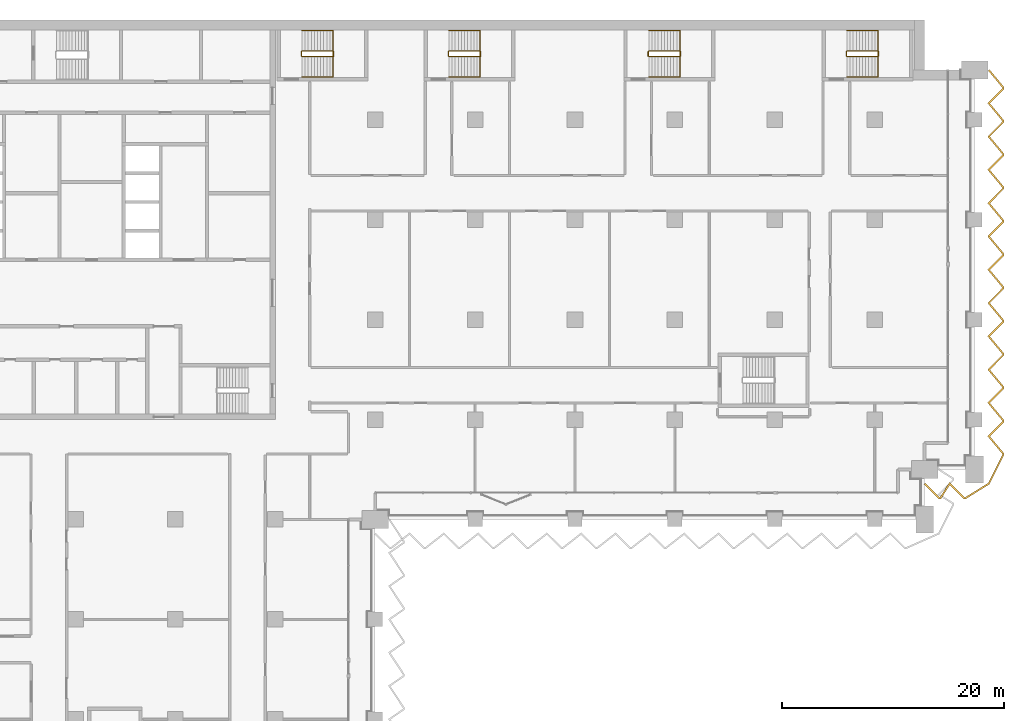
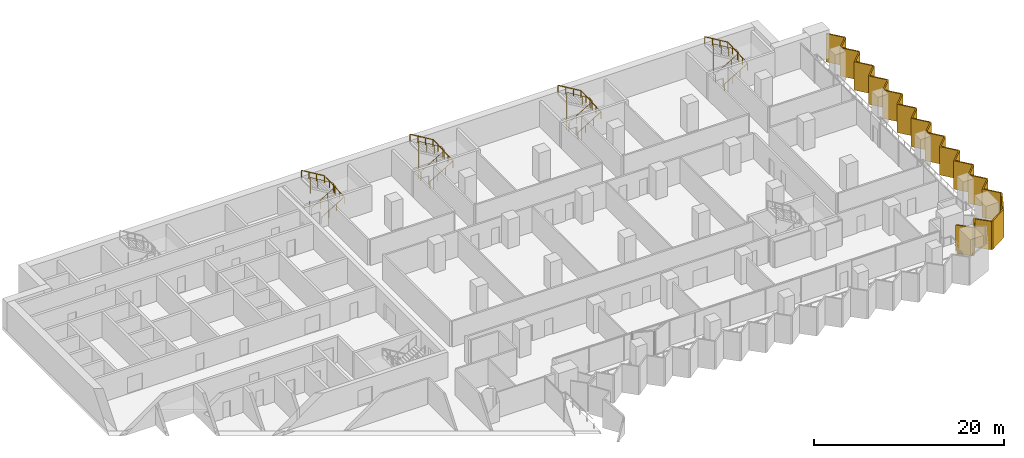
# One storey, part 27 of 28: 8 railings, 1 shading device.
"""IFC4 building model written with IfcOpenShell, lengths in metres."""

import ifcopenshell
import ifcopenshell.guid

model = None  # the IFC model being written
_history = None  # IfcOwnerHistory: only IFC2X3 demands one
_inside = {}  # id of a spatial element -> (the spatial element, [elements in it])
_under = {}  # id of a project, library or spatial element -> (it, [spatial elements below it])
_declared = {}  # id of a project -> (the project, [libraries it declares])
_typed = {}  # id of a type object -> (the type object, [elements of that type])
_made_of = {}  # id of a material, layer set ... -> (it, [elements and type objects made of it])


def new_model(schema):
    """Start an empty IFC model of exactly this schema.

    Asked for "IFC4X3", IfcOpenShell would pick the latest addendum, in which some entities
    have other attributes; the version numbers below select the first issue.
    IFC2X3 requires an IfcOwnerHistory on every rooted entity: one is made here for all.
    """
    global model, _history
    if schema == "IFC4X3":
        model = ifcopenshell.file(schema_version=(4, 3, 0, 0))
    else:
        model = ifcopenshell.file(schema=schema)
    _inside.clear()
    _under.clear()
    _declared.clear()
    _typed.clear()
    _made_of.clear()
    _history = None
    if model.schema == "IFC2X3":
        org = make("IfcOrganization", Name="unknown")
        user = make(
            "IfcPersonAndOrganization",
            ThePerson=make("IfcPerson", FamilyName="unknown"),
            TheOrganization=org,
        )
        app = make(
            "IfcApplication",
            ApplicationDeveloper=org,
            Version="unknown",
            ApplicationFullName="unknown",
            ApplicationIdentifier="unknown",
        )
        _history = make(
            "IfcOwnerHistory",
            OwningUser=user,
            OwningApplication=app,
            ChangeAction="ADDED",
            CreationDate=0,
        )
    return model


def make(cls, **values):
    """One entity of the class cls with the attributes given. An attribute that is None is left unset."""
    return model.create_entity(
        cls, **{name: value for name, value in values.items() if value is not None}
    )


def rooted(cls, **values):
    """An entity with a GlobalId (a new one), such as an element, a storey or a relation."""
    return make(cls, GlobalId=ifcopenshell.guid.new(), OwnerHistory=_history, **values)


def si_unit(unit_type, name, prefix=None):
    """IfcSIUnit, for example si_unit("LENGTHUNIT", "METRE", prefix="MILLI")."""
    return make("IfcSIUnit", UnitType=unit_type, Prefix=prefix, Name=name)


def assignment(units):
    """IfcUnitAssignment: the units of a project."""
    return None if units is None else make("IfcUnitAssignment", Units=units)


def point(xyz):
    """IfcCartesianPoint."""
    return None if xyz is None else make("IfcCartesianPoint", Coordinates=xyz)


def direction(xyz):
    """IfcDirection."""
    return None if xyz is None else make("IfcDirection", DirectionRatios=xyz)


def frame(location, z_axis=None, x_axis=None):
    """IfcAxis2Placement3D, a coordinate frame: its origin and axes. An axis left out is left unset."""
    return make(
        "IfcAxis2Placement3D",
        Location=point(location),
        Axis=direction(z_axis),
        RefDirection=direction(x_axis),
    )


def frame_2d(location, x_axis=None):
    """IfcAxis2Placement2D, a coordinate frame in the plane: its origin and x axis."""
    return make(
        "IfcAxis2Placement2D", Location=point(location), RefDirection=direction(x_axis)
    )


def origin():
    """The frame at (0, 0, 0) with its axes left unset."""
    return frame((0.0, 0.0, 0.0))


def origin_2d():
    """The frame at (0, 0) in the plane with its x axis left unset."""
    return frame_2d((0.0, 0.0))


def place(relative_to, where):
    """IfcLocalPlacement: puts the frame where relative to a parent placement (None: the world)."""
    return make(
        "IfcLocalPlacement", PlacementRelTo=relative_to, RelativePlacement=where
    )


def context(
    kind, dimensions, precision=None, world=None, true_north=None, identifier=None
):
    """IfcGeometricRepresentationContext, for example the 3D "Model" context."""
    return make(
        "IfcGeometricRepresentationContext",
        ContextIdentifier=identifier,
        ContextType=kind,
        CoordinateSpaceDimension=dimensions,
        Precision=precision,
        WorldCoordinateSystem=world,
        TrueNorth=true_north,
    )


def subcontext(parent, identifier, kind, view, scale=None):
    """IfcGeometricRepresentationSubContext, for example "Body" below "Model"."""
    return make(
        "IfcGeometricRepresentationSubContext",
        ContextIdentifier=identifier,
        ContextType=kind,
        ParentContext=parent,
        TargetScale=scale,
        TargetView=view,
    )


def project(units=None, contexts=None):
    """IfcProject with its units and contexts."""
    return rooted(
        "IfcProject",
        Name="project",
        RepresentationContexts=contexts,
        UnitsInContext=assignment(units),
    )


def spatial(cls, under=None, at=None, **own):
    """A site, building, storey or space (cls), placed at a placement, below another one or the project."""
    s = rooted(cls, ObjectPlacement=at, **own)
    if under is not None:
        _under.setdefault(under.id(), (under, []))[1].append(s)
    return s


def polyline(points):
    """IfcPolyline through the points."""
    return make("IfcPolyline", Points=[point(p) for p in points])


def profile(cls, at=None, kind="AREA", **sizes):
    """A parametric profile (cls). Its sizes go by their IFC names, for example OverallWidth=200.0."""
    return make(cls, ProfileType=kind, Position=at, **sizes)


def circle(**sizes):
    """IfcCircleProfileDef."""
    return profile("IfcCircleProfileDef", **sizes)


def outline(outer, holes=None, kind="AREA"):
    """IfcArbitraryClosedProfileDef: a profile drawn as a closed curve; with holes, ...WithVoids."""
    if holes is None:
        return make("IfcArbitraryClosedProfileDef", ProfileType=kind, OuterCurve=outer)
    return make(
        "IfcArbitraryProfileDefWithVoids",
        ProfileType=kind,
        OuterCurve=outer,
        InnerCurves=holes,
    )


def extrude(swept, where, along, depth):
    """IfcExtrudedAreaSolid: the profile swept, set in the frame where, extruded along a direction by depth."""
    return make(
        "IfcExtrudedAreaSolid",
        SweptArea=swept,
        Position=where,
        ExtrudedDirection=direction(along),
        Depth=depth,
    )


def shape(context_of_items, identifier, shape_type, items):
    """IfcShapeRepresentation: the items that make up one representation, for example the "Body"."""
    return make(
        "IfcShapeRepresentation",
        ContextOfItems=context_of_items,
        RepresentationIdentifier=identifier,
        RepresentationType=shape_type,
        Items=items,
    )


def material(Name=None, Category=None):
    """IfcMaterial."""
    return make("IfcMaterial", Name=Name, Category=Category)


def layer(
    of_material, thickness, ventilated=None, Name=None, Category=None, Priority=None
):
    """IfcMaterialLayer: one layer of a wall or slab, of a material (None: an air gap)."""
    return make(
        "IfcMaterialLayer",
        Material=of_material,
        LayerThickness=thickness,
        IsVentilated=ventilated,
        Name=Name,
        Category=Category,
        Priority=Priority,
    )


def layer_set(layers, Name=None):
    """IfcMaterialLayerSet."""
    return make("IfcMaterialLayerSet", MaterialLayers=layers, LayerSetName=Name)


def made_of(thing, what):
    """Note that an element or type object is made of a material, layer set ...; save() writes the relation."""
    if what is not None:
        _made_of.setdefault(what.id(), (what, []))[1].append(thing)
    return thing


def type_object(cls, material=None, **own):
    """A type object (cls), such as IfcWallType, which elements share."""
    return made_of(rooted(cls, **own), material)


def element(
    cls,
    number,
    at=None,
    inside=None,
    cuts=None,
    type_object=None,
    material=None,
    context=None,
    identifier="Body",
    shape_type=None,
    held_by="IfcProductDefinitionShape",
    body=None,
    shapes=None,
    **own,
):
    """One element of the class cls, such as IfcWall. Its Tag is "e" and its number.

    at: its placement. inside: the storey or other place that contains it. cuts: it is an
    opening in that element (IfcRelVoidsElement). A single representation is given by context,
    identifier, shape_type and body (its items); several are given by shapes. held_by: the class
    of the entity that holds the representations. save() writes the other relations.
    """
    e = rooted(cls, Tag="e%d" % number, ObjectPlacement=at, **own)
    if body is not None:
        shapes = [shape(context, identifier, shape_type, body)]
    if shapes is not None:
        e.Representation = make(held_by, Representations=shapes)
    if inside is not None:
        _inside.setdefault(inside.id(), (inside, []))[1].append(e)
    if cuts is not None:
        rooted(
            "IfcRelVoidsElement", RelatingBuildingElement=cuts, RelatedOpeningElement=e
        )
    if type_object is not None:
        _typed.setdefault(type_object.id(), (type_object, []))[1].append(e)
    return made_of(e, material)


def aggregate(whole, parts):
    """IfcRelAggregates: a whole, such as a stair, and the parts it consists of."""
    return rooted("IfcRelAggregates", RelatingObject=whole, RelatedObjects=parts)


def save(model, path):
    """Write the relations noted so far, then the file.

    IfcRelAggregates (storeys below a building ...), IfcRelContainedInSpatialStructure (elements
    in a storey), IfcRelDefinesByType, IfcRelAssociatesMaterial and IfcRelDeclares: one each for
    every whole, place, type object, material and project.
    """
    for whole, parts in _under.values():
        aggregate(whole, parts)
    for where, things in _inside.values():
        rooted(
            "IfcRelContainedInSpatialStructure",
            RelatedElements=things,
            RelatingStructure=where,
        )
    for kind, things in _typed.values():
        rooted("IfcRelDefinesByType", RelatedObjects=things, RelatingType=kind)
    for what, things in _made_of.values():
        rooted("IfcRelAssociatesMaterial", RelatedObjects=things, RelatingMaterial=what)
    for by, libraries in _declared.values():
        rooted("IfcRelDeclares", RelatingContext=by, RelatedDefinitions=libraries)
    model.write(path)


model = new_model("IFC4")

# Units and contexts
model_context = context("Model", 3, precision=1e-05, world=origin(), true_north=direction((0.0, 1.0)))
body_context = subcontext(model_context, "Body", "Model", "MODEL_VIEW")
ifc_project = project(units=[si_unit("LENGTHUNIT", "METRE"), si_unit("AREAUNIT", "SQUARE_METRE"), si_unit("VOLUMEUNIT", "CUBIC_METRE"), si_unit("PLANEANGLEUNIT", "RADIAN"), si_unit("MASSUNIT", "GRAM", prefix="KILO")], contexts=[model_context])

# Site, building, storey
site_placement = place(None, origin())
site = spatial("IfcSite", under=ifc_project, at=site_placement, CompositionType="ELEMENT")
building_placement = place(site_placement, origin())
building = spatial("IfcBuilding", under=site, at=building_placement, Name="Hunhe Ridgeline Campus", CompositionType="ELEMENT")
storey_placement = place(building_placement, frame((0.0, 0.0, 35.800048828125)))
storey = spatial("IfcBuildingStorey", under=building, at=storey_placement, Name="L07", CompositionType="ELEMENT", Elevation=35.800048828125)

# Shading device
ifc_material_1 = material(Name="Concrete C50", Category="concrete")
ifc_layer = layer(ifc_material_1, 0.14990234375)
ifc_layer_set = layer_set([ifc_layer], Name="Sawtooth concrete fin 150 Concrete C50")
shading_device_type = type_object("IfcShadingDeviceType", Name="Sawtooth concrete fin 150 Concrete C50", PredefinedType="USERDEFINED", material=ifc_layer_set)
shading_device_placement = place(storey_placement, frame((0.0, 0.0, -0.949951171875)))
element("IfcShadingDevice", 1, at=shading_device_placement, inside=storey, type_object=shading_device_type, Name="Concrete fin screen 3", ObjectType="FIN", PredefinedType="USERDEFINED", context=body_context, shape_type="SweptSolid", body=[
    extrude(outline(polyline([(94.552734375, 57.2783203125), (94.447265625, 57.171875), (95.779296875, 55.85009765625), (95.9716796875, 55.85009765625), (96.763671875, 57.10595703125), (98.029296875, 55.85009765625), (98.20166015625, 55.85009765625), (100.33251953125, 57.17236328125), (101.64990234375, 59.79248046875), (101.64990234375, 59.957275390625), (100.376220703125, 61.495361328125), (101.64990234375, 62.779296875), (101.64990234375, 62.957275390625), (100.376220703125, 64.495361328125), (101.64990234375, 65.779296875), (101.64990234375, 65.957275390625), (100.376220703125, 67.495361328125), (101.64990234375, 68.779296875), (101.64990234375, 68.957275390625), (100.376220703125, 70.495361328125), (101.64990234375, 71.779296875), (101.64990234375, 71.957275390625), (100.376220703125, 73.495361328125), (101.64990234375, 74.779296875), (101.64990234375, 74.957275390625), (100.376220703125, 76.495361328125), (101.64990234375, 77.779296875), (101.64990234375, 77.957275390625), (100.376220703125, 79.495361328125), (101.64990234375, 80.779296875), (101.64990234375, 80.957275390625), (100.376220703125, 82.495361328125), (101.64990234375, 83.779296875), (101.64990234375, 83.957275390625), (100.376220703125, 85.495361328125), (101.64990234375, 86.779296875), (101.64990234375, 86.957275390625), (100.376220703125, 88.495361328125), (101.64990234375, 89.779296875), (101.64990234375, 89.957275390625), (100.376220703125, 91.495361328125), (101.64990234375, 92.779296875), (101.64990234375, 92.957275390625), (100.332763671875, 94.5478515625), (100.21728515625, 94.4521484375), (101.5, 92.9033203125), (101.5, 92.841064453125), (100.173828125, 91.504638671875), (101.5, 89.9033203125), (101.5, 89.841064453125), (100.173828125, 88.504638671875), (101.5, 86.9033203125), (101.5, 86.841064453125), (100.173828125, 85.504638671875), (101.5, 83.9033203125), (101.5, 83.841064453125), (100.173828125, 82.504638671875), (101.5, 80.9033203125), (101.5, 80.841064453125), (100.173828125, 79.504638671875), (101.5, 77.9033203125), (101.5, 77.841064453125), (100.173828125, 76.504638671875), (101.5, 74.9033203125), (101.5, 74.841064453125), (100.173828125, 73.504638671875), (101.5, 71.9033203125), (101.5, 71.841064453125), (100.173828125, 70.504638671875), (101.5, 68.9033203125), (101.5, 68.841064453125), (100.173828125, 67.504638671875), (101.5, 65.9033203125), (101.5, 65.841064453125), (100.173828125, 64.504638671875), (101.5, 62.9033203125), (101.5, 62.841064453125), (100.173828125, 61.504638671875), (101.5, 59.9033203125), (101.5, 59.828125), (100.217529296875, 57.277587890625), (98.158935546875, 56.0), (98.091064453125, 56.0), (96.736328125, 57.343994140625), (95.888916015625, 56.0), (95.841064453125, 56.0), (94.552734375, 57.2783203125)])), origin(), (0.0, 0.0, 1.0), 3.64990234375),
])

# Railings
ifc_material_2 = material(Name="Stainless steel balustrade", Category="steel")
railing_type_1 = type_object("IfcRailingType", Name="Stair guard 1100 stainless", PredefinedType="GUARDRAIL", material=ifc_material_2)
railing_1_placement = place(storey_placement, frame((38.39990234375, 95.699951171875, 0.168212890625)))
element("IfcRailing", 2, at=railing_1_placement, inside=storey, type_object=railing_type_1, Name="L07 stair E1 guard", PredefinedType="GUARDRAIL", context=body_context, shape_type="SweptSolid", body=[
    extrude(circle(Radius=0.02392578125, at=origin_2d()), frame((0.0, 0.0, 1.076171875), z_axis=(0.857275202839, 0.0, 0.514858452973), x_axis=(0.0, 1.0, 0.0)), (0.0, 0.0, 1.0), 3.26611328125),
    extrude(circle(Radius=0.02392578125, at=origin_2d()), frame((2.800048828125, 0.0, 2.7578125), z_axis=(0.707106781187, 0.707106781187, 0.0), x_axis=(-0.707106781187, 0.707106781187, 0.0)), (0.0, 0.0, 1.0), 0.07080078125),
    extrude(circle(Radius=0.02392578125, at=origin_2d()), frame((2.85009765625, 0.050048828125, 2.7578125), z_axis=(0.0, 1.0, 0.0), x_axis=(-1.0, 0.0, 0.0)), (0.0, 0.0, 1.0), 0.39990234375),
    extrude(circle(Radius=0.02392578125, at=origin_2d()), frame((2.85009765625, 0.449951171875, 2.7578125), z_axis=(-0.274243871929, 0.274243871929, 0.92172696468), x_axis=(-0.707106781187, -0.707106781187, 0.0)), (0.0, 0.0, 1.0), 0.1826171875),
    extrude(circle(Radius=0.02392578125, at=origin_2d()), frame((2.800048828125, 0.5, 2.92578125), z_axis=(-0.857242210791, 0.0, 0.514913383045), x_axis=(0.0, -1.0, 0.0)), (0.0, 0.0, 1.0), 3.266357421875),
    extrude(circle(Radius=0.02392578125, at=origin_2d()), frame((0.0, 0.5, 4.60791015625), z_axis=(-0.013458453615, -0.013524426427, -0.999817963389), x_axis=(0.708833529934, -0.705375805398, 0.0)), (0.0, 0.0, 1.0), 3.70068359375),
    extrude(circle(Radius=0.02392578125, at=origin_2d()), frame((-0.0498046875, 0.449951171875, 0.90771484375), z_axis=(0.0, -1.0, 0.0), x_axis=(1.0, 0.0, 0.0)), (0.0, 0.0, 1.0), 0.39990234375),
    extrude(circle(Radius=0.02099609375, at=origin_2d()), origin(), (0.0, 0.0, 1.0), 1.052001953125),
    extrude(circle(Radius=0.02099609375, at=origin_2d()), frame((0.933349609375, 0.0, 0.560546875)), (0.0, 0.0, 1.0), 1.052001953125),
    extrude(circle(Radius=0.02099609375, at=origin_2d()), frame((1.86669921875, 0.0, 1.12109375)), (0.0, 0.0, 1.0), 1.052001953125),
    extrude(circle(Radius=0.02099609375, at=origin_2d()), frame((2.800048828125, 0.0, 1.681640625)), (0.0, 0.0, 1.0), 1.052001953125),
    extrude(circle(Radius=0.02099609375, at=origin_2d()), frame((2.85009765625, 0.050048828125, 1.681640625)), (0.0, 0.0, 1.0), 1.052001953125),
    extrude(circle(Radius=0.02099609375, at=origin_2d()), frame((2.85009765625, 0.449951171875, 1.681640625)), (0.0, 0.0, 1.0), 1.052001953125),
    extrude(circle(Radius=0.02099609375, at=origin_2d()), frame((2.800048828125, 0.5, 1.849853515625)), (0.0, 0.0, 1.0), 1.052001953125),
    extrude(circle(Radius=0.02099609375, at=origin_2d()), frame((1.86669921875, 0.5, 2.410400390625)), (0.0, 0.0, 1.0), 1.052001953125),
    extrude(circle(Radius=0.02099609375, at=origin_2d()), frame((0.933349609375, 0.5, 2.97119140625)), (0.0, 0.0, 1.0), 1.052001953125),
    extrude(circle(Radius=0.02099609375, at=origin_2d()), frame((0.0, 0.5, 3.53173828125)), (0.0, 0.0, 1.0), 1.052001953125),
    extrude(circle(Radius=0.02099609375, at=origin_2d()), frame((-0.012451171875, 0.487548828125, 2.606689453125)), (0.0, 0.0, 1.0), 1.052001953125),
    extrude(circle(Radius=0.02099609375, at=origin_2d()), frame((-0.02490234375, 0.47509765625, 1.681640625)), (0.0, 0.0, 1.0), 1.052001953125),
    extrude(circle(Radius=0.02099609375, at=origin_2d()), frame((-0.037353515625, 0.46240234375, 0.7568359375)), (0.0, 0.0, 1.0), 1.052001953125),
    extrude(circle(Radius=0.02099609375, at=origin_2d()), frame((-0.0498046875, 0.449951171875, -0.168212890625)), (0.0, 0.0, 1.0), 1.052001953125),
    extrude(circle(Radius=0.02099609375, at=origin_2d()), frame((-0.0498046875, 0.050048828125, -0.168212890625)), (0.0, 0.0, 1.0), 1.052001953125),
])
railing_2_placement = place(storey_placement, frame((51.64990234375, 95.699951171875, 0.168212890625)))
element("IfcRailing", 3, at=railing_2_placement, inside=storey, type_object=railing_type_1, Name="L07 stair E2 guard", PredefinedType="GUARDRAIL", context=body_context, shape_type="SweptSolid", body=[
    extrude(circle(Radius=0.02392578125, at=origin_2d()), frame((0.0, 0.0, 1.076171875), z_axis=(0.857275202839, 0.0, 0.514858452973), x_axis=(0.0, 1.0, 0.0)), (0.0, 0.0, 1.0), 3.26611328125),
    extrude(circle(Radius=0.02392578125, at=origin_2d()), frame((2.800048828125, 0.0, 2.7578125), z_axis=(0.707106781187, 0.707106781187, 0.0), x_axis=(-0.707106781187, 0.707106781187, 0.0)), (0.0, 0.0, 1.0), 0.07080078125),
    extrude(circle(Radius=0.02392578125, at=origin_2d()), frame((2.85009765625, 0.050048828125, 2.7578125), z_axis=(0.0, 1.0, 0.0), x_axis=(-1.0, 0.0, 0.0)), (0.0, 0.0, 1.0), 0.39990234375),
    extrude(circle(Radius=0.02392578125, at=origin_2d()), frame((2.85009765625, 0.449951171875, 2.7578125), z_axis=(-0.274243871929, 0.274243871929, 0.92172696468), x_axis=(-0.707106781187, -0.707106781187, 0.0)), (0.0, 0.0, 1.0), 0.1826171875),
    extrude(circle(Radius=0.02392578125, at=origin_2d()), frame((2.800048828125, 0.5, 2.92578125), z_axis=(-0.857242210791, 0.0, 0.514913383045), x_axis=(0.0, -1.0, 0.0)), (0.0, 0.0, 1.0), 3.266357421875),
    extrude(circle(Radius=0.02392578125, at=origin_2d()), frame((0.0, 0.5, 4.60791015625), z_axis=(-0.013458453615, -0.013524426427, -0.999817963389), x_axis=(0.708833529934, -0.705375805398, 0.0)), (0.0, 0.0, 1.0), 3.70068359375),
    extrude(circle(Radius=0.02392578125, at=origin_2d()), frame((-0.0498046875, 0.449951171875, 0.90771484375), z_axis=(0.0, -1.0, 0.0), x_axis=(1.0, 0.0, 0.0)), (0.0, 0.0, 1.0), 0.39990234375),
    extrude(circle(Radius=0.02099609375, at=origin_2d()), origin(), (0.0, 0.0, 1.0), 1.052001953125),
    extrude(circle(Radius=0.02099609375, at=origin_2d()), frame((0.933349609375, 0.0, 0.560546875)), (0.0, 0.0, 1.0), 1.052001953125),
    extrude(circle(Radius=0.02099609375, at=origin_2d()), frame((1.86669921875, 0.0, 1.12109375)), (0.0, 0.0, 1.0), 1.052001953125),
    extrude(circle(Radius=0.02099609375, at=origin_2d()), frame((2.800048828125, 0.0, 1.681640625)), (0.0, 0.0, 1.0), 1.052001953125),
    extrude(circle(Radius=0.02099609375, at=origin_2d()), frame((2.85009765625, 0.050048828125, 1.681640625)), (0.0, 0.0, 1.0), 1.052001953125),
    extrude(circle(Radius=0.02099609375, at=origin_2d()), frame((2.85009765625, 0.449951171875, 1.681640625)), (0.0, 0.0, 1.0), 1.052001953125),
    extrude(circle(Radius=0.02099609375, at=origin_2d()), frame((2.800048828125, 0.5, 1.849853515625)), (0.0, 0.0, 1.0), 1.052001953125),
    extrude(circle(Radius=0.02099609375, at=origin_2d()), frame((1.86669921875, 0.5, 2.410400390625)), (0.0, 0.0, 1.0), 1.052001953125),
    extrude(circle(Radius=0.02099609375, at=origin_2d()), frame((0.933349609375, 0.5, 2.97119140625)), (0.0, 0.0, 1.0), 1.052001953125),
    extrude(circle(Radius=0.02099609375, at=origin_2d()), frame((0.0, 0.5, 3.53173828125)), (0.0, 0.0, 1.0), 1.052001953125),
    extrude(circle(Radius=0.02099609375, at=origin_2d()), frame((-0.012451171875, 0.487548828125, 2.606689453125)), (0.0, 0.0, 1.0), 1.052001953125),
    extrude(circle(Radius=0.02099609375, at=origin_2d()), frame((-0.02490234375, 0.47509765625, 1.681640625)), (0.0, 0.0, 1.0), 1.052001953125),
    extrude(circle(Radius=0.02099609375, at=origin_2d()), frame((-0.037353515625, 0.46240234375, 0.7568359375)), (0.0, 0.0, 1.0), 1.052001953125),
    extrude(circle(Radius=0.02099609375, at=origin_2d()), frame((-0.0498046875, 0.449951171875, -0.168212890625)), (0.0, 0.0, 1.0), 1.052001953125),
    extrude(circle(Radius=0.02099609375, at=origin_2d()), frame((-0.0498046875, 0.050048828125, -0.168212890625)), (0.0, 0.0, 1.0), 1.052001953125),
])
railing_3_placement = place(storey_placement, frame((69.64990234375, 95.699951171875, 0.168212890625)))
element("IfcRailing", 4, at=railing_3_placement, inside=storey, type_object=railing_type_1, Name="L07 stair E3 guard", PredefinedType="GUARDRAIL", context=body_context, shape_type="SweptSolid", body=[
    extrude(circle(Radius=0.02392578125, at=origin_2d()), frame((0.0, 0.0, 1.076171875), z_axis=(0.857275202839, 0.0, 0.514858452973), x_axis=(0.0, 1.0, 0.0)), (0.0, 0.0, 1.0), 3.26611328125),
    extrude(circle(Radius=0.02392578125, at=origin_2d()), frame((2.800048828125, 0.0, 2.7578125), z_axis=(0.707106781187, 0.707106781187, 0.0), x_axis=(-0.707106781187, 0.707106781187, 0.0)), (0.0, 0.0, 1.0), 0.07080078125),
    extrude(circle(Radius=0.02392578125, at=origin_2d()), frame((2.85009765625, 0.050048828125, 2.7578125), z_axis=(0.0, 1.0, 0.0), x_axis=(-1.0, 0.0, 0.0)), (0.0, 0.0, 1.0), 0.39990234375),
    extrude(circle(Radius=0.02392578125, at=origin_2d()), frame((2.85009765625, 0.449951171875, 2.7578125), z_axis=(-0.274243871929, 0.274243871929, 0.92172696468), x_axis=(-0.707106781187, -0.707106781187, 0.0)), (0.0, 0.0, 1.0), 0.1826171875),
    extrude(circle(Radius=0.02392578125, at=origin_2d()), frame((2.800048828125, 0.5, 2.92578125), z_axis=(-0.857242210791, 0.0, 0.514913383045), x_axis=(0.0, -1.0, 0.0)), (0.0, 0.0, 1.0), 3.266357421875),
    extrude(circle(Radius=0.02392578125, at=origin_2d()), frame((0.0, 0.5, 4.60791015625), z_axis=(-0.013458453615, -0.013524426427, -0.999817963389), x_axis=(0.708833529934, -0.705375805398, 0.0)), (0.0, 0.0, 1.0), 3.70068359375),
    extrude(circle(Radius=0.02392578125, at=origin_2d()), frame((-0.0498046875, 0.449951171875, 0.90771484375), z_axis=(0.0, -1.0, 0.0), x_axis=(1.0, 0.0, 0.0)), (0.0, 0.0, 1.0), 0.39990234375),
    extrude(circle(Radius=0.02099609375, at=origin_2d()), origin(), (0.0, 0.0, 1.0), 1.052001953125),
    extrude(circle(Radius=0.02099609375, at=origin_2d()), frame((0.933349609375, 0.0, 0.560546875)), (0.0, 0.0, 1.0), 1.052001953125),
    extrude(circle(Radius=0.02099609375, at=origin_2d()), frame((1.86669921875, 0.0, 1.12109375)), (0.0, 0.0, 1.0), 1.052001953125),
    extrude(circle(Radius=0.02099609375, at=origin_2d()), frame((2.800048828125, 0.0, 1.681640625)), (0.0, 0.0, 1.0), 1.052001953125),
    extrude(circle(Radius=0.02099609375, at=origin_2d()), frame((2.85009765625, 0.050048828125, 1.681640625)), (0.0, 0.0, 1.0), 1.052001953125),
    extrude(circle(Radius=0.02099609375, at=origin_2d()), frame((2.85009765625, 0.449951171875, 1.681640625)), (0.0, 0.0, 1.0), 1.052001953125),
    extrude(circle(Radius=0.02099609375, at=origin_2d()), frame((2.800048828125, 0.5, 1.849853515625)), (0.0, 0.0, 1.0), 1.052001953125),
    extrude(circle(Radius=0.02099609375, at=origin_2d()), frame((1.86669921875, 0.5, 2.410400390625)), (0.0, 0.0, 1.0), 1.052001953125),
    extrude(circle(Radius=0.02099609375, at=origin_2d()), frame((0.933349609375, 0.5, 2.97119140625)), (0.0, 0.0, 1.0), 1.052001953125),
    extrude(circle(Radius=0.02099609375, at=origin_2d()), frame((0.0, 0.5, 3.53173828125)), (0.0, 0.0, 1.0), 1.052001953125),
    extrude(circle(Radius=0.02099609375, at=origin_2d()), frame((-0.012451171875, 0.487548828125, 2.606689453125)), (0.0, 0.0, 1.0), 1.052001953125),
    extrude(circle(Radius=0.02099609375, at=origin_2d()), frame((-0.02490234375, 0.47509765625, 1.681640625)), (0.0, 0.0, 1.0), 1.052001953125),
    extrude(circle(Radius=0.02099609375, at=origin_2d()), frame((-0.037353515625, 0.46240234375, 0.7568359375)), (0.0, 0.0, 1.0), 1.052001953125),
    extrude(circle(Radius=0.02099609375, at=origin_2d()), frame((-0.0498046875, 0.449951171875, -0.168212890625)), (0.0, 0.0, 1.0), 1.052001953125),
    extrude(circle(Radius=0.02099609375, at=origin_2d()), frame((-0.0498046875, 0.050048828125, -0.168212890625)), (0.0, 0.0, 1.0), 1.052001953125),
])
railing_4_placement = place(storey_placement, frame((87.5, 95.699951171875, 0.168212890625)))
element("IfcRailing", 5, at=railing_4_placement, inside=storey, type_object=railing_type_1, Name="L07 stair E4 guard", PredefinedType="GUARDRAIL", context=body_context, shape_type="SweptSolid", body=[
    extrude(circle(Radius=0.02392578125, at=origin_2d()), frame((0.0, 0.0, 1.076171875), z_axis=(0.857275202839, 0.0, 0.514858452973), x_axis=(0.0, 1.0, 0.0)), (0.0, 0.0, 1.0), 3.26611328125),
    extrude(circle(Radius=0.02392578125, at=origin_2d()), frame((2.800048828125, 0.0, 2.7578125), z_axis=(0.707106781187, 0.707106781187, 0.0), x_axis=(-0.707106781187, 0.707106781187, 0.0)), (0.0, 0.0, 1.0), 0.07080078125),
    extrude(circle(Radius=0.02392578125, at=origin_2d()), frame((2.85009765625, 0.050048828125, 2.7578125), z_axis=(0.0, 1.0, 0.0), x_axis=(-1.0, 0.0, 0.0)), (0.0, 0.0, 1.0), 0.39990234375),
    extrude(circle(Radius=0.02392578125, at=origin_2d()), frame((2.85009765625, 0.449951171875, 2.7578125), z_axis=(-0.274243871929, 0.274243871929, 0.92172696468), x_axis=(-0.707106781187, -0.707106781187, 0.0)), (0.0, 0.0, 1.0), 0.1826171875),
    extrude(circle(Radius=0.02392578125, at=origin_2d()), frame((2.800048828125, 0.5, 2.92578125), z_axis=(-0.857242210791, 0.0, 0.514913383045), x_axis=(0.0, -1.0, 0.0)), (0.0, 0.0, 1.0), 3.266357421875),
    extrude(circle(Radius=0.02392578125, at=origin_2d()), frame((0.0, 0.5, 4.60791015625), z_axis=(-0.013524414389, -0.013524414389, -0.999817073484), x_axis=(0.707106781187, -0.707106781187, 0.0)), (0.0, 0.0, 1.0), 3.70068359375),
    extrude(circle(Radius=0.02392578125, at=origin_2d()), frame((-0.050048828125, 0.449951171875, 0.90771484375), z_axis=(0.0, -1.0, 0.0), x_axis=(1.0, 0.0, 0.0)), (0.0, 0.0, 1.0), 0.39990234375),
    extrude(circle(Radius=0.02099609375, at=origin_2d()), origin(), (0.0, 0.0, 1.0), 1.052001953125),
    extrude(circle(Radius=0.02099609375, at=origin_2d()), frame((0.933349609375, 0.0, 0.560546875)), (0.0, 0.0, 1.0), 1.052001953125),
    extrude(circle(Radius=0.02099609375, at=origin_2d()), frame((1.86669921875, 0.0, 1.12109375)), (0.0, 0.0, 1.0), 1.052001953125),
    extrude(circle(Radius=0.02099609375, at=origin_2d()), frame((2.800048828125, 0.0, 1.681640625)), (0.0, 0.0, 1.0), 1.052001953125),
    extrude(circle(Radius=0.02099609375, at=origin_2d()), frame((2.85009765625, 0.050048828125, 1.681640625)), (0.0, 0.0, 1.0), 1.052001953125),
    extrude(circle(Radius=0.02099609375, at=origin_2d()), frame((2.85009765625, 0.449951171875, 1.681640625)), (0.0, 0.0, 1.0), 1.052001953125),
    extrude(circle(Radius=0.02099609375, at=origin_2d()), frame((2.800048828125, 0.5, 1.849853515625)), (0.0, 0.0, 1.0), 1.052001953125),
    extrude(circle(Radius=0.02099609375, at=origin_2d()), frame((1.86669921875, 0.5, 2.410400390625)), (0.0, 0.0, 1.0), 1.052001953125),
    extrude(circle(Radius=0.02099609375, at=origin_2d()), frame((0.933349609375, 0.5, 2.97119140625)), (0.0, 0.0, 1.0), 1.052001953125),
    extrude(circle(Radius=0.02099609375, at=origin_2d()), frame((0.0, 0.5, 3.53173828125)), (0.0, 0.0, 1.0), 1.052001953125),
    extrude(circle(Radius=0.02099609375, at=origin_2d()), frame((-0.012451171875, 0.487548828125, 2.606689453125)), (0.0, 0.0, 1.0), 1.052001953125),
    extrude(circle(Radius=0.02099609375, at=origin_2d()), frame((-0.02490234375, 0.47509765625, 1.681640625)), (0.0, 0.0, 1.0), 1.052001953125),
    extrude(circle(Radius=0.02099609375, at=origin_2d()), frame((-0.03759765625, 0.46240234375, 0.7568359375)), (0.0, 0.0, 1.0), 1.052001953125),
    extrude(circle(Radius=0.02099609375, at=origin_2d()), frame((-0.050048828125, 0.449951171875, -0.168212890625)), (0.0, 0.0, 1.0), 1.052001953125),
    extrude(circle(Radius=0.02099609375, at=origin_2d()), frame((-0.050048828125, 0.050048828125, -0.168212890625)), (0.0, 0.0, 1.0), 1.052001953125),
])
ifc_material_3 = material(Name="Stainless steel handrail", Category="steel")
railing_type_2 = type_object("IfcRailingType", Name="Stair handrail 900 stainless", PredefinedType="HANDRAIL", material=ifc_material_3)
railing_5_placement = place(storey_placement, frame((38.39990234375, 93.85009765625, 0.168212890625)))
element("IfcRailing", 6, at=railing_5_placement, inside=storey, type_object=railing_type_2, Name="L07 stair E1 handrail", PredefinedType="HANDRAIL", context=body_context, shape_type="SweptSolid", body=[
    extrude(circle(Radius=0.02392578125, at=origin_2d()), frame((0.0, 0.0, 0.8759765625), z_axis=(0.857275202839, 0.0, 0.514858452973), x_axis=(0.0, 1.0, 0.0)), (0.0, 0.0, 1.0), 3.26611328125),
    extrude(circle(Radius=0.02392578125, at=origin_2d()), frame((2.800048828125, 0.0, 2.5576171875), z_axis=(0.0, 0.999198916169, 0.040019069537), x_axis=(-1.0, 0.0, 0.0)), (0.0, 0.0, 1.0), 4.203369140625),
    extrude(circle(Radius=0.02392578125, at=origin_2d()), frame((2.800048828125, 4.199951171875, 2.7255859375), z_axis=(-0.857242210791, 0.0, 0.514913383045), x_axis=(0.0, -1.0, 0.0)), (0.0, 0.0, 1.0), 3.266357421875),
    extrude(circle(Radius=0.02099609375, at=origin_2d()), origin(), (0.0, 0.0, 1.0), 0.851806640625),
    extrude(circle(Radius=0.02099609375, at=origin_2d()), frame((0.933349609375, 0.0, 0.560546875)), (0.0, 0.0, 1.0), 0.851806640625),
    extrude(circle(Radius=0.02099609375, at=origin_2d()), frame((1.86669921875, 0.0, 1.12109375)), (0.0, 0.0, 1.0), 0.851806640625),
    extrude(circle(Radius=0.02099609375, at=origin_2d()), frame((2.800048828125, 0.0, 1.681640625)), (0.0, 0.0, 1.0), 0.851806640625),
    extrude(circle(Radius=0.02099609375, at=origin_2d()), frame((2.800048828125, 1.050048828125, 1.7236328125)), (0.0, 0.0, 1.0), 0.851806640625),
    extrude(circle(Radius=0.02099609375, at=origin_2d()), frame((2.800048828125, 2.10009765625, 1.765625)), (0.0, 0.0, 1.0), 0.851806640625),
    extrude(circle(Radius=0.02099609375, at=origin_2d()), frame((2.800048828125, 3.14990234375, 1.807861328125)), (0.0, 0.0, 1.0), 0.851806640625),
    extrude(circle(Radius=0.02099609375, at=origin_2d()), frame((2.800048828125, 4.199951171875, 1.849853515625)), (0.0, 0.0, 1.0), 0.851806640625),
    extrude(circle(Radius=0.02099609375, at=origin_2d()), frame((1.86669921875, 4.199951171875, 2.410400390625)), (0.0, 0.0, 1.0), 0.851806640625),
    extrude(circle(Radius=0.02099609375, at=origin_2d()), frame((0.933349609375, 4.199951171875, 2.97119140625)), (0.0, 0.0, 1.0), 0.851806640625),
    extrude(circle(Radius=0.02099609375, at=origin_2d()), frame((0.0, 4.199951171875, 3.53173828125)), (0.0, 0.0, 1.0), 0.851806640625),
])
railing_6_placement = place(storey_placement, frame((51.64990234375, 93.85009765625, 0.168212890625)))
element("IfcRailing", 7, at=railing_6_placement, inside=storey, type_object=railing_type_2, Name="L07 stair E2 handrail", PredefinedType="HANDRAIL", context=body_context, shape_type="SweptSolid", body=[
    extrude(circle(Radius=0.02392578125, at=origin_2d()), frame((0.0, 0.0, 0.8759765625), z_axis=(0.857275202839, 0.0, 0.514858452973), x_axis=(0.0, 1.0, 0.0)), (0.0, 0.0, 1.0), 3.26611328125),
    extrude(circle(Radius=0.02392578125, at=origin_2d()), frame((2.800048828125, 0.0, 2.5576171875), z_axis=(0.0, 0.999198916169, 0.040019069537), x_axis=(-1.0, 0.0, 0.0)), (0.0, 0.0, 1.0), 4.203369140625),
    extrude(circle(Radius=0.02392578125, at=origin_2d()), frame((2.800048828125, 4.199951171875, 2.7255859375), z_axis=(-0.857242210791, 0.0, 0.514913383045), x_axis=(0.0, -1.0, 0.0)), (0.0, 0.0, 1.0), 3.266357421875),
    extrude(circle(Radius=0.02099609375, at=origin_2d()), origin(), (0.0, 0.0, 1.0), 0.851806640625),
    extrude(circle(Radius=0.02099609375, at=origin_2d()), frame((0.933349609375, 0.0, 0.560546875)), (0.0, 0.0, 1.0), 0.851806640625),
    extrude(circle(Radius=0.02099609375, at=origin_2d()), frame((1.86669921875, 0.0, 1.12109375)), (0.0, 0.0, 1.0), 0.851806640625),
    extrude(circle(Radius=0.02099609375, at=origin_2d()), frame((2.800048828125, 0.0, 1.681640625)), (0.0, 0.0, 1.0), 0.851806640625),
    extrude(circle(Radius=0.02099609375, at=origin_2d()), frame((2.800048828125, 1.050048828125, 1.7236328125)), (0.0, 0.0, 1.0), 0.851806640625),
    extrude(circle(Radius=0.02099609375, at=origin_2d()), frame((2.800048828125, 2.10009765625, 1.765625)), (0.0, 0.0, 1.0), 0.851806640625),
    extrude(circle(Radius=0.02099609375, at=origin_2d()), frame((2.800048828125, 3.14990234375, 1.807861328125)), (0.0, 0.0, 1.0), 0.851806640625),
    extrude(circle(Radius=0.02099609375, at=origin_2d()), frame((2.800048828125, 4.199951171875, 1.849853515625)), (0.0, 0.0, 1.0), 0.851806640625),
    extrude(circle(Radius=0.02099609375, at=origin_2d()), frame((1.86669921875, 4.199951171875, 2.410400390625)), (0.0, 0.0, 1.0), 0.851806640625),
    extrude(circle(Radius=0.02099609375, at=origin_2d()), frame((0.933349609375, 4.199951171875, 2.97119140625)), (0.0, 0.0, 1.0), 0.851806640625),
    extrude(circle(Radius=0.02099609375, at=origin_2d()), frame((0.0, 4.199951171875, 3.53173828125)), (0.0, 0.0, 1.0), 0.851806640625),
])
railing_7_placement = place(storey_placement, frame((69.64990234375, 93.85009765625, 0.168212890625)))
element("IfcRailing", 8, at=railing_7_placement, inside=storey, type_object=railing_type_2, Name="L07 stair E3 handrail", PredefinedType="HANDRAIL", context=body_context, shape_type="SweptSolid", body=[
    extrude(circle(Radius=0.02392578125, at=origin_2d()), frame((0.0, 0.0, 0.8759765625), z_axis=(0.857275202839, 0.0, 0.514858452973), x_axis=(0.0, 1.0, 0.0)), (0.0, 0.0, 1.0), 3.26611328125),
    extrude(circle(Radius=0.02392578125, at=origin_2d()), frame((2.800048828125, 0.0, 2.5576171875), z_axis=(0.0, 0.999198916169, 0.040019069537), x_axis=(-1.0, 0.0, 0.0)), (0.0, 0.0, 1.0), 4.203369140625),
    extrude(circle(Radius=0.02392578125, at=origin_2d()), frame((2.800048828125, 4.199951171875, 2.7255859375), z_axis=(-0.857242210791, 0.0, 0.514913383045), x_axis=(0.0, -1.0, 0.0)), (0.0, 0.0, 1.0), 3.266357421875),
    extrude(circle(Radius=0.02099609375, at=origin_2d()), origin(), (0.0, 0.0, 1.0), 0.851806640625),
    extrude(circle(Radius=0.02099609375, at=origin_2d()), frame((0.933349609375, 0.0, 0.560546875)), (0.0, 0.0, 1.0), 0.851806640625),
    extrude(circle(Radius=0.02099609375, at=origin_2d()), frame((1.86669921875, 0.0, 1.12109375)), (0.0, 0.0, 1.0), 0.851806640625),
    extrude(circle(Radius=0.02099609375, at=origin_2d()), frame((2.800048828125, 0.0, 1.681640625)), (0.0, 0.0, 1.0), 0.851806640625),
    extrude(circle(Radius=0.02099609375, at=origin_2d()), frame((2.800048828125, 1.050048828125, 1.7236328125)), (0.0, 0.0, 1.0), 0.851806640625),
    extrude(circle(Radius=0.02099609375, at=origin_2d()), frame((2.800048828125, 2.10009765625, 1.765625)), (0.0, 0.0, 1.0), 0.851806640625),
    extrude(circle(Radius=0.02099609375, at=origin_2d()), frame((2.800048828125, 3.14990234375, 1.807861328125)), (0.0, 0.0, 1.0), 0.851806640625),
    extrude(circle(Radius=0.02099609375, at=origin_2d()), frame((2.800048828125, 4.199951171875, 1.849853515625)), (0.0, 0.0, 1.0), 0.851806640625),
    extrude(circle(Radius=0.02099609375, at=origin_2d()), frame((1.86669921875, 4.199951171875, 2.410400390625)), (0.0, 0.0, 1.0), 0.851806640625),
    extrude(circle(Radius=0.02099609375, at=origin_2d()), frame((0.933349609375, 4.199951171875, 2.97119140625)), (0.0, 0.0, 1.0), 0.851806640625),
    extrude(circle(Radius=0.02099609375, at=origin_2d()), frame((0.0, 4.199951171875, 3.53173828125)), (0.0, 0.0, 1.0), 0.851806640625),
])
railing_8_placement = place(storey_placement, frame((87.5, 93.85009765625, 0.168212890625)))
element("IfcRailing", 9, at=railing_8_placement, inside=storey, type_object=railing_type_2, Name="L07 stair E4 handrail", PredefinedType="HANDRAIL", context=body_context, shape_type="SweptSolid", body=[
    extrude(circle(Radius=0.02392578125, at=origin_2d()), frame((0.0, 0.0, 0.8759765625), z_axis=(0.857275202839, 0.0, 0.514858452973), x_axis=(0.0, 1.0, 0.0)), (0.0, 0.0, 1.0), 3.26611328125),
    extrude(circle(Radius=0.02392578125, at=origin_2d()), frame((2.800048828125, 0.0, 2.5576171875), z_axis=(0.0, 0.999198916169, 0.040019069537), x_axis=(-1.0, 0.0, 0.0)), (0.0, 0.0, 1.0), 4.203369140625),
    extrude(circle(Radius=0.02392578125, at=origin_2d()), frame((2.800048828125, 4.199951171875, 2.7255859375), z_axis=(-0.857242210791, 0.0, 0.514913383045), x_axis=(0.0, -1.0, 0.0)), (0.0, 0.0, 1.0), 3.266357421875),
    extrude(circle(Radius=0.02099609375, at=origin_2d()), origin(), (0.0, 0.0, 1.0), 0.851806640625),
    extrude(circle(Radius=0.02099609375, at=origin_2d()), frame((0.933349609375, 0.0, 0.560546875)), (0.0, 0.0, 1.0), 0.851806640625),
    extrude(circle(Radius=0.02099609375, at=origin_2d()), frame((1.86669921875, 0.0, 1.12109375)), (0.0, 0.0, 1.0), 0.851806640625),
    extrude(circle(Radius=0.02099609375, at=origin_2d()), frame((2.800048828125, 0.0, 1.681640625)), (0.0, 0.0, 1.0), 0.851806640625),
    extrude(circle(Radius=0.02099609375, at=origin_2d()), frame((2.800048828125, 1.050048828125, 1.7236328125)), (0.0, 0.0, 1.0), 0.851806640625),
    extrude(circle(Radius=0.02099609375, at=origin_2d()), frame((2.800048828125, 2.10009765625, 1.765625)), (0.0, 0.0, 1.0), 0.851806640625),
    extrude(circle(Radius=0.02099609375, at=origin_2d()), frame((2.800048828125, 3.14990234375, 1.807861328125)), (0.0, 0.0, 1.0), 0.851806640625),
    extrude(circle(Radius=0.02099609375, at=origin_2d()), frame((2.800048828125, 4.199951171875, 1.849853515625)), (0.0, 0.0, 1.0), 0.851806640625),
    extrude(circle(Radius=0.02099609375, at=origin_2d()), frame((1.86669921875, 4.199951171875, 2.410400390625)), (0.0, 0.0, 1.0), 0.851806640625),
    extrude(circle(Radius=0.02099609375, at=origin_2d()), frame((0.933349609375, 4.199951171875, 2.97119140625)), (0.0, 0.0, 1.0), 0.851806640625),
    extrude(circle(Radius=0.02099609375, at=origin_2d()), frame((0.0, 4.199951171875, 3.53173828125)), (0.0, 0.0, 1.0), 0.851806640625),
])

save(model, "model.ifc")
